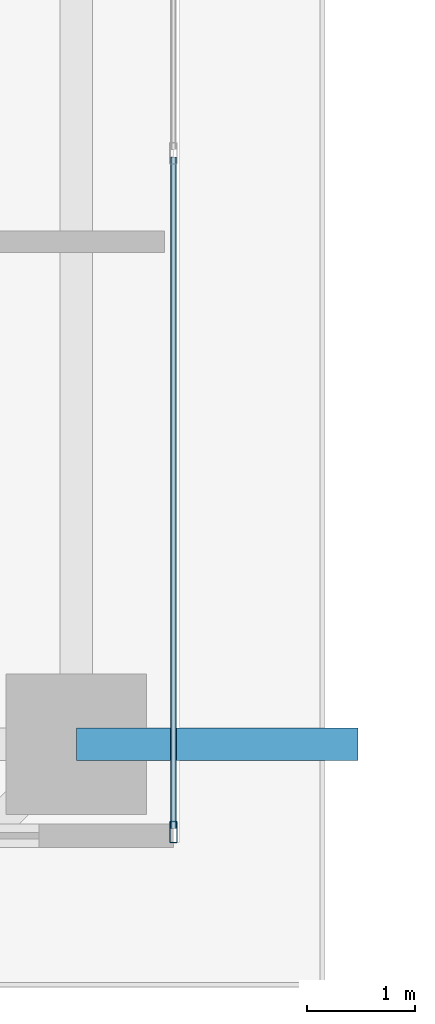
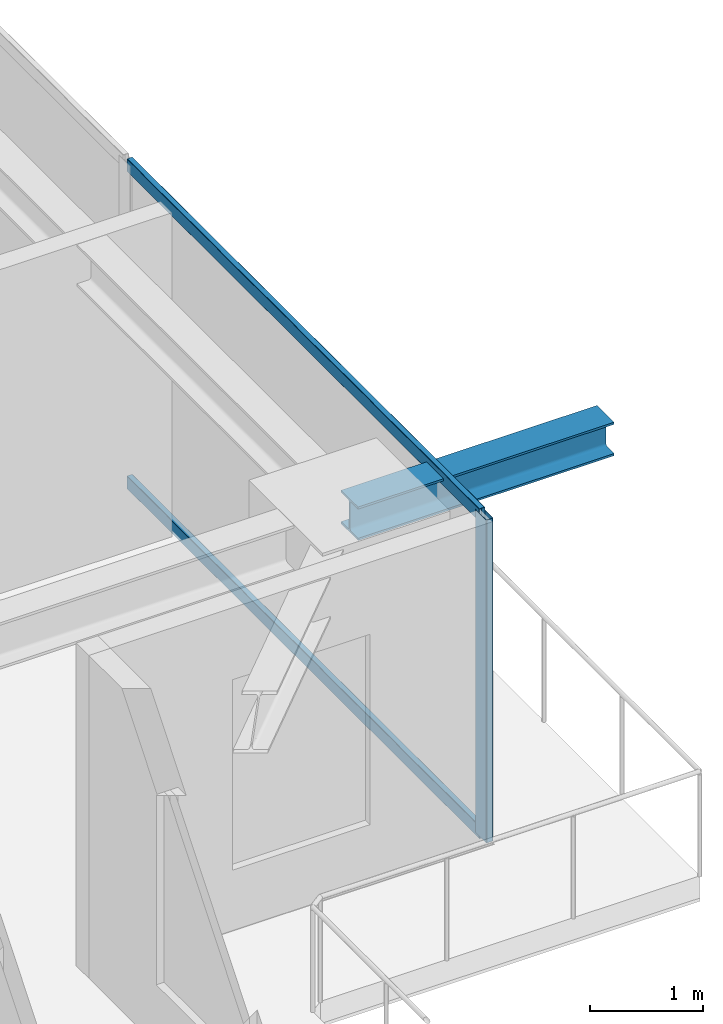
# One storey, part 13 of 34: 3 members, 1 beam, 1 element without a shape of its own.
"""IFC4 building model written with IfcOpenShell, lengths in metres."""

from ifc_helpers import new_model, si_unit, direction, frame, origin, origin_2d, place, context, subcontext, project, spatial, hollow_rectangle, i_section, extrude, source, transform, mapped, material, layer, layer_set, material_profile, profile_set, type_object, element, aggregate, save


model = new_model("IFC4")

# Units and contexts
model_context = context("Model", 3, precision=1e-05, world=origin(), true_north=direction((0.0, 1.0)))
body_context = subcontext(model_context, "Body", "Model", "MODEL_VIEW")
ifc_project = project(units=[si_unit("LENGTHUNIT", "METRE"), si_unit("AREAUNIT", "SQUARE_METRE"), si_unit("VOLUMEUNIT", "CUBIC_METRE"), si_unit("PLANEANGLEUNIT", "RADIAN"), si_unit("MASSUNIT", "GRAM", prefix="KILO")], contexts=[model_context])

# Site, building, storey
site_placement = place(None, origin())
site = spatial("IfcSite", under=ifc_project, at=site_placement, CompositionType="ELEMENT")
building_placement = place(site_placement, origin())
building = spatial("IfcBuilding", under=site, at=building_placement, Name="Serunith Strait Residences", CompositionType="ELEMENT")
storey_placement = place(building_placement, frame((0.0, 0.0, 187.64990234375)))
storey = spatial("IfcBuildingStorey", under=building, at=storey_placement, Name="L47", CompositionType="ELEMENT", Elevation=187.64990234375)

# Beam
ifc_material_1 = material(Name="Steel S355J2", Category="steel")
ifc_material_profile_1 = material_profile(ifc_material_1, i_section(OverallWidth=0.300048828125, OverallDepth=0.360107421875, WebThickness=0.012451171875, FlangeThickness=0.0224609375, FilletRadius=0.027099609375, at=origin_2d()), Name="HEB 360")
ifc_profile_set_1 = profile_set([ifc_material_profile_1], Name="Steel S355J2")
beam_type = type_object("IfcBeamType", Name="BM-HEB360", PredefinedType="BEAM", material=ifc_profile_set_1)
shared_shape_1 = source(origin(), body_context, "Body", "SweptSolid", [
    extrude(i_section(OverallWidth=0.300048828125, OverallDepth=0.360107421875, WebThickness=0.012451171875, FlangeThickness=0.0224609375, FilletRadius=0.027099609375, at=origin_2d()), origin(), (0.0, 0.0, 1.0), 2.608154296875),
])
beam_placement = place(storey_placement, frame((56.10009765625, 10.25, 3.277099609375), z_axis=(1.0, 0.0, 0.0), x_axis=(0.0, 1.0, 0.0)))
element("IfcBeam", 1, at=beam_placement, inside=storey, type_object=beam_type, Name="L48 Cantilevered Balcony Rib TC-E1", PredefinedType="BEAM", context=body_context, shape_type="MappedRepresentation", body=[
    mapped(shared_shape_1, transform((0.0, 0.0, 0.0), scale=1.0)),
])

# Curtain wall, members
ifc_material_2 = material(Name="Pale-Champagne Anodised Aluminium", Category="aluminium")
ifc_layer = layer(ifc_material_2, 0.199951171875, Name="Pale-Champagne Anodised Aluminium")
ifc_layer_set = layer_set([ifc_layer], Name="Pale-Champagne Anodised Aluminium")
curtain_wall_type = type_object("IfcCurtainWallType", Name="CW-SYS2", PredefinedType="NOTDEFINED", material=ifc_layer_set)
curtain_wall_placement = place(storey_placement, origin())
curtain_wall = element("IfcCurtainWall", 2, at=curtain_wall_placement, inside=storey, type_object=curtain_wall_type, Name="L47 E Unitised Fritted Curtain Wall", PredefinedType="NOTDEFINED")
ifc_material_profile_2 = material_profile(ifc_material_2, hollow_rectangle(XDim=0.070068359375, YDim=0.199951171875, WallThickness=0.00390625, InnerFilletRadius=0.006103515625, OuterFilletRadius=0.010009765625, at=origin_2d()), Name="ALU 200x70x4")
ifc_profile_set_2 = profile_set([ifc_material_profile_2], Name="Pale-Champagne Anodised Aluminium")
member_type_1 = type_object("IfcMemberType", Name="CW-SYS2-MULL", PredefinedType="MULLION", material=ifc_profile_set_2)
shared_shape_2 = source(origin(), body_context, "Body", "SweptSolid", [
    extrude(hollow_rectangle(XDim=0.070068359375, YDim=0.199951171875, WallThickness=0.00390625, InnerFilletRadius=0.006103515625, OuterFilletRadius=0.010009765625, at=origin_2d()), origin(), (0.0, 0.0, 1.0), 3.47509765625),
])
member_1_placement = place(storey_placement, frame((57.0, 9.43505859375, 0.0), z_axis=(0.0, 0.0, 1.0), x_axis=(-1.0, 0.0, 0.0)))
member_1 = element("IfcMember", 3, at=member_1_placement, type_object=member_type_1, Name="CW-2 mullion 1", PredefinedType="MULLION", context=body_context, shape_type="MappedRepresentation", body=[
    mapped(shared_shape_2, transform((0.0, 0.0, 0.0), scale=1.0)),
])
ifc_material_profile_3 = material_profile(ifc_material_2, hollow_rectangle(XDim=0.06005859375, YDim=0.139892578125, WallThickness=0.00341796875, InnerFilletRadius=0.00537109375, OuterFilletRadius=0.0087890625, at=origin_2d()), Name="ALU 140x60x3.5")
ifc_profile_set_3 = profile_set([ifc_material_profile_3], Name="Pale-Champagne Anodised Aluminium")
member_type_2 = type_object("IfcMemberType", Name="CW-SYS2-TRAN", PredefinedType="USERDEFINED", material=ifc_profile_set_3)
shared_shape_3 = source(origin(), body_context, "Body", "SweptSolid", [
    extrude(hollow_rectangle(XDim=0.06005859375, YDim=0.139892578125, WallThickness=0.00341796875, InnerFilletRadius=0.00537109375, OuterFilletRadius=0.0087890625, at=origin_2d()), origin(), (0.0, 0.0, 1.0), 6.215087890625),
])
member_2_placement = place(storey_placement, frame((57.0, 9.469970703125, 0.030029296875), z_axis=(0.0, 1.0, 0.0), x_axis=(-1.0, 0.0, 0.0)))
member_2 = element("IfcMember", 4, at=member_2_placement, type_object=member_type_2, Name="CW-2 transom 1.1", ObjectType="TRANSOM", PredefinedType="USERDEFINED", context=body_context, shape_type="MappedRepresentation", body=[
    mapped(shared_shape_3, transform((0.0, 0.0, 0.0), scale=1.0)),
])
member_3_placement = place(storey_placement, frame((57.0, 9.469970703125, 3.445068359375), z_axis=(0.0, 1.0, 0.0), x_axis=(-1.0, 0.0, 0.0)))
member_3 = element("IfcMember", 5, at=member_3_placement, type_object=member_type_2, Name="CW-2 transom 1.2", ObjectType="TRANSOM", PredefinedType="USERDEFINED", context=body_context, shape_type="MappedRepresentation", body=[
    mapped(shared_shape_3, transform((0.0, 0.0, 0.0), scale=1.0)),
])
aggregate(curtain_wall, [member_1, member_2, member_3])

save(model, "model.ifc")
